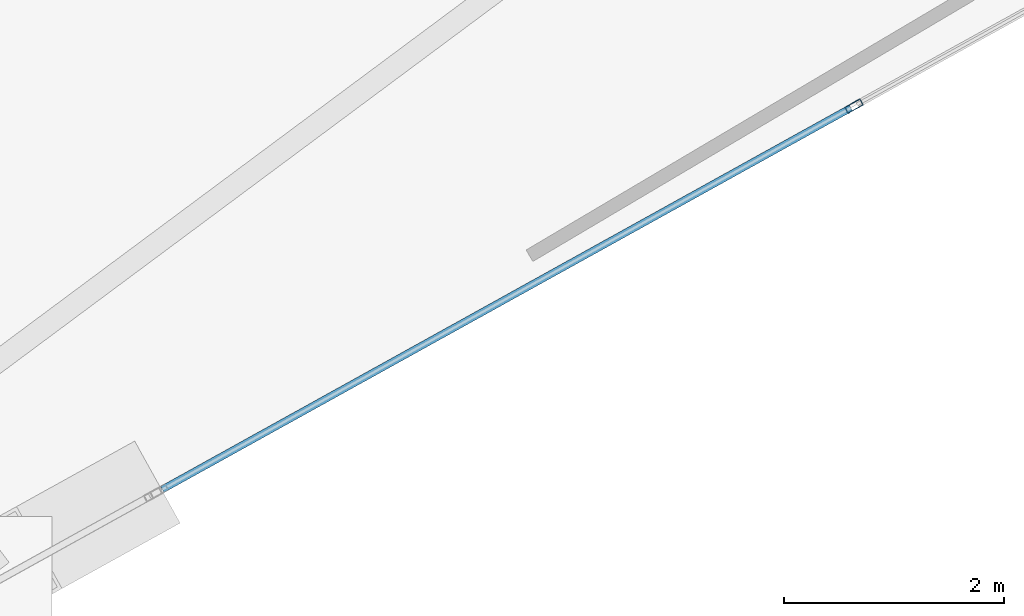
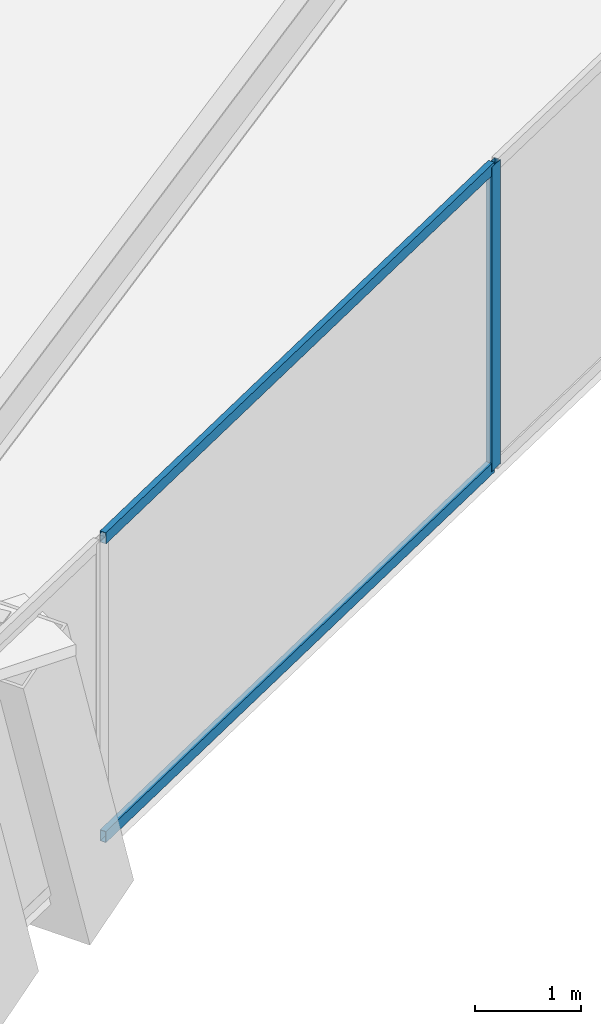
# One storey, part 7 of 21: 3 members, 1 element without a shape of its own.
"""IFC4 building model written with IfcOpenShell, lengths in metres."""

from ifc_helpers import new_model, si_unit, direction, frame, origin, origin_2d, place, context, subcontext, project, spatial, hollow_rectangle, extrude, material, layer, layer_set, material_profile, profile_set, type_object, element, aggregate, save


model = new_model("IFC4")

# Units and contexts
model_context = context("Model", 3, precision=1e-05, world=origin(), true_north=direction((0.0, 1.0)))
body_context = subcontext(model_context, "Body", "Model", "MODEL_VIEW")
ifc_project = project(units=[si_unit("LENGTHUNIT", "METRE"), si_unit("AREAUNIT", "SQUARE_METRE"), si_unit("VOLUMEUNIT", "CUBIC_METRE"), si_unit("PLANEANGLEUNIT", "RADIAN"), si_unit("MASSUNIT", "GRAM", prefix="KILO")], contexts=[model_context])

# Site, building, storey
site_placement = place(None, origin())
site = spatial("IfcSite", under=ifc_project, at=site_placement, CompositionType="ELEMENT")
building_placement = place(site_placement, origin())
building = spatial("IfcBuilding", under=site, at=building_placement, Name="Qianvela Tower", CompositionType="ELEMENT")
storey_placement = place(building_placement, frame((0.0, 0.0, 166.10009765625)))
storey = spatial("IfcBuildingStorey", under=building, at=storey_placement, Name="L42", CompositionType="ELEMENT", Elevation=166.10009765625)

# Curtain wall, members
ifc_material_1 = material(Name="Anodised Architectural Aluminium and Low-E Glass", Category="aluminium")
ifc_layer = layer(ifc_material_1, 0.169921875)
ifc_layer_set = layer_set([ifc_layer], Name="Anodised Architectural Aluminium and Low-E Glass")
curtain_wall_type = type_object("IfcCurtainWallType", Name="CW-COLIV-Z34", PredefinedType="USERDEFINED", material=ifc_layer_set)
curtain_wall_placement = place(storey_placement, origin())
curtain_wall = element("IfcCurtainWall", 1, at=curtain_wall_placement, inside=storey, type_object=curtain_wall_type, Name="L42 CW-COLIV-Z34 Curtain Wall 06C", ObjectType="CURTAIN_WALL_SYSTEM", PredefinedType="USERDEFINED")
ifc_material_2 = material(Name="Anodised Architectural Aluminium 6063-T6", Category="aluminium")
ifc_material_profile_1 = material_profile(ifc_material_2, hollow_rectangle(XDim=0.06494140625, YDim=0.159912109375, WallThickness=0.0048828125, at=origin_2d()), Name="ALU-MULL-65x160")
ifc_profile_set_1 = profile_set([ifc_material_profile_1], Name="Anodised Architectural Aluminium 6063-T6")
member_type_1 = type_object("IfcMemberType", Name="CW-COLIV-Z34-MULL", PredefinedType="MULLION", material=ifc_profile_set_1)
member_1_placement = place(storey_placement, frame((52.193115234375, 20.265380859375, 0.0), z_axis=(0.0, 0.0, 1.0), x_axis=(-0.484701402798, 0.874679684299, 0.0)))
member_1 = element("IfcMember", 2, at=member_1_placement, type_object=member_type_1, Name="CW-4 mullion 2", PredefinedType="MULLION", context=body_context, shape_type="SweptSolid", body=[
    extrude(hollow_rectangle(XDim=0.06494140625, YDim=0.159912109375, WallThickness=0.0048828125, at=origin_2d()), origin(), (0.0, 0.0, 1.0), 3.52001953125),
])
ifc_material_3 = material(Name="Anodised Architectural Aluminium 6063-T6", Category="aluminium")
ifc_material_profile_2 = material_profile(ifc_material_3, hollow_rectangle(XDim=0.06494140625, YDim=0.1298828125, WallThickness=0.00439453125, at=origin_2d()), Name="ALU-TRAN-65x130")
ifc_profile_set_2 = profile_set([ifc_material_profile_2], Name="Anodised Architectural Aluminium 6063-T6")
member_type_2 = type_object("IfcMemberType", Name="CW-COLIV-Z34-TRAN", PredefinedType="USERDEFINED", material=ifc_profile_set_2)
member_2_placement = place(storey_placement, frame((45.91796875, 16.7880859375, 0.032470703125), z_axis=(0.87468567477, 0.48469059239, 0.0), x_axis=(-0.48469059239, 0.87468567477, 0.0)))
member_2 = element("IfcMember", 3, at=member_2_placement, type_object=member_type_2, Name="CW-4 transom 1.1", ObjectType="TRANSOM", PredefinedType="USERDEFINED", context=body_context, shape_type="SweptSolid", body=[
    extrude(hollow_rectangle(XDim=0.06494140625, YDim=0.1298828125, WallThickness=0.00439453125, at=origin_2d()), origin(), (0.0, 0.0, 1.0), 7.1416015625),
])
member_3_placement = place(storey_placement, frame((45.91796875, 16.7880859375, 3.4873046875), z_axis=(0.87468567477, 0.48469059239, 0.0), x_axis=(-0.48469059239, 0.87468567477, 0.0)))
member_3 = element("IfcMember", 4, at=member_3_placement, type_object=member_type_2, Name="CW-4 transom 1.2", ObjectType="TRANSOM", PredefinedType="USERDEFINED", context=body_context, shape_type="SweptSolid", body=[
    extrude(hollow_rectangle(XDim=0.06494140625, YDim=0.1298828125, WallThickness=0.00439453125, at=origin_2d()), origin(), (0.0, 0.0, 1.0), 7.1416015625),
])
aggregate(curtain_wall, [member_1, member_2, member_3])

save(model, "model.ifc")
